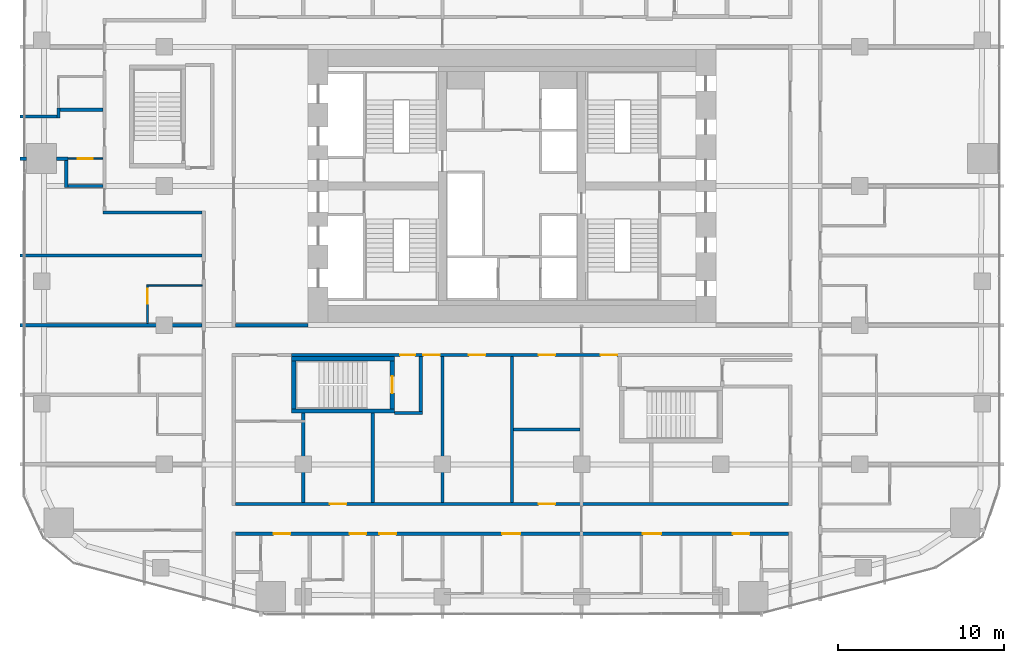
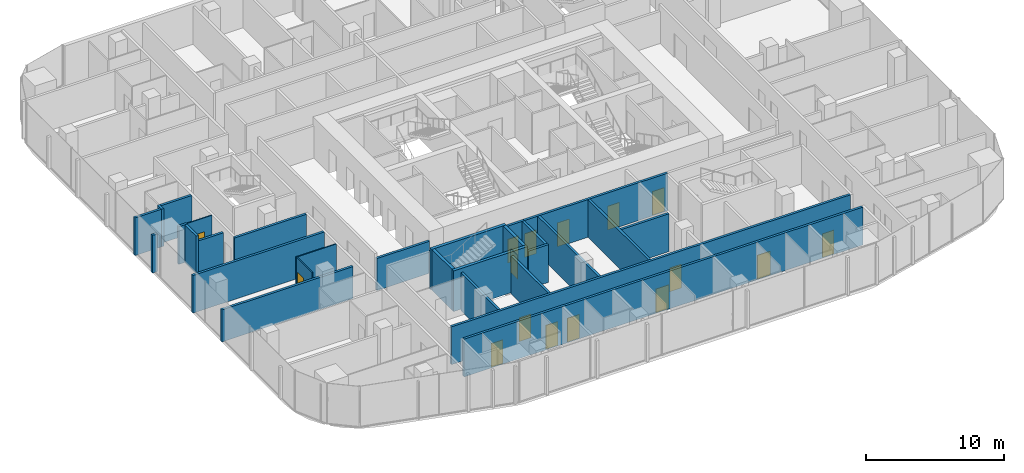
# One storey, part 17 of 26: 29 walls, 16 doors, 16 openings.
"""IFC4 building model written with IfcOpenShell, lengths in metres."""

from ifc_helpers import new_model, si_unit, direction, frame, frame_2d, origin, place, context, subcontext, project, spatial, rectangle, extrude, material, layer, layer_set, type_object, element, fill, save


model = new_model("IFC4")

# Units and contexts
model_context = context("Model", 3, precision=1e-05, world=origin(), true_north=direction((0.0, 1.0)))
body_context = subcontext(model_context, "Body", "Model", "MODEL_VIEW")
ifc_project = project(units=[si_unit("LENGTHUNIT", "METRE"), si_unit("AREAUNIT", "SQUARE_METRE"), si_unit("VOLUMEUNIT", "CUBIC_METRE"), si_unit("PLANEANGLEUNIT", "RADIAN"), si_unit("MASSUNIT", "GRAM", prefix="KILO")], contexts=[model_context])

# Site, building, storey
site_placement = place(None, origin())
site = spatial("IfcSite", under=ifc_project, at=site_placement, CompositionType="ELEMENT")
building_placement = place(site_placement, origin())
building = spatial("IfcBuilding", under=site, at=building_placement, Name="Marenta Gate Hotel Tower", CompositionType="ELEMENT")
storey_placement = place(building_placement, frame((0.0, 0.0, 58.10009765625)))
storey = spatial("IfcBuildingStorey", under=building, at=storey_placement, Name="L12", CompositionType="ELEMENT", Elevation=58.10009765625)

# Walls
ifc_material_1 = material(Name="Concrete blockwork", Category="masonry")
ifc_layer_1 = layer(ifc_material_1, 0.199951171875)
ifc_layer_set_1 = layer_set([ifc_layer_1], Name="Concrete blockwork")
wall_type_1 = type_object("IfcWallType", Name="Core boundary wall 200 REI 180", PredefinedType="PARTITIONING", material=ifc_layer_set_1)
wall_1_placement = place(storey_placement, frame((-16.699951171875, 0.0, 0.0), z_axis=(0.0, 0.0, 1.0), x_axis=(1.0, 0.0, 0.0)))
element("IfcWall", 1, at=wall_1_placement, inside=storey, type_object=wall_type_1, Name="L12-CP-EW-WS", PredefinedType="PARTITIONING", context=body_context, shape_type="SweptSolid", body=[
    extrude(rectangle(XDim=4.39990234375, YDim=0.199951171875, at=frame_2d((2.199951171875, 0.0))), origin(), (0.0, 0.0, 1.0), 2.83984375),
])
ifc_material_2 = material(Name="Concrete C40", Category="concrete")
ifc_layer_2 = layer(ifc_material_2, 0.25)
ifc_layer_set_2 = layer_set([ifc_layer_2], Name="Concrete C40")
wall_type_2 = type_object("IfcWallType", Name="Remote stair enclosure wall 250 REI 180", PredefinedType="SHEAR", material=ifc_layer_set_2)
for number, where, z_axis, x_axis, name in (
    (2, (-13.300048828125, -5.175048828125, 0.099853515625), (0.0, 0.0, 1.0), (1.0, 0.0, 0.0), "L12-RS-Z1-2-W1"),
    (3, (-13.300048828125, -2.02490234375, 0.099853515625), (0.0, 0.0, 1.0), (1.0, 0.0, 0.0), "L12-RS-Z1-2-W2"),
):
    element("IfcWall", number, at=place(storey_placement, frame(where, z_axis=z_axis, x_axis=x_axis)), inside=storey, type_object=wall_type_2, Name=name, PredefinedType="SHEAR", context=body_context, shape_type="SweptSolid", body=[
        extrude(rectangle(XDim=6.199951171875, YDim=0.25, at=frame_2d((3.10009765625, 0.0))), origin(), (0.0, 0.0, 1.0), 3.60009765625),
    ])
wall_2_placement = place(storey_placement, frame((-13.175048828125, -5.050048828125, 0.099853515625), z_axis=(0.0, 0.0, 1.0), x_axis=(0.0, 1.0, 0.0)))
element("IfcWall", 4, at=wall_2_placement, inside=storey, type_object=wall_type_2, Name="L12-RS-Z1-2-W3", PredefinedType="SHEAR", context=body_context, shape_type="SweptSolid", body=[
    extrude(rectangle(XDim=2.900146484375, YDim=0.25, at=frame_2d((1.4501953125, 0.0))), origin(), (0.0, 0.0, 1.0), 3.60009765625),
])

# Wall, opening, door
wall_3_placement = place(storey_placement, frame((-7.22509765625, -5.050048828125, 0.099853515625), z_axis=(0.0, 0.0, 1.0), x_axis=(0.0, 1.0, 0.0)))
wall_3 = element("IfcWall", 5, at=wall_3_placement, inside=storey, type_object=wall_type_2, Name="L12-RS-Z1-2-W4", PredefinedType="SHEAR", context=body_context, shape_type="SweptSolid", body=[
    extrude(rectangle(XDim=2.900146484375, YDim=0.25, at=frame_2d((1.4501953125, 0.0))), origin(), (0.0, 0.0, 1.0), 3.60009765625),
])
opening_1_placement = place(wall_3_placement, frame((0.949951171875, 0.0, 0.0)))
opening_1 = element("IfcOpeningElement", 6, at=opening_1_placement, cuts=wall_3, Name="Opening VD", PredefinedType="OPENING", context=body_context, shape_type="SweptSolid", body=[
    extrude(rectangle(XDim=1.0, YDim=2.10009765625, at=frame_2d((0.5, 1.050048828125))), frame((0.0, 0.125, 0.0), z_axis=(0.0, -1.0, 0.0), x_axis=(1.0, 0.0, 0.0)), (0.0, 0.0, 1.0), 0.25),
])
ifc_material_3 = material(Name="Steel", Category="steel")
door_type_1 = type_object("IfcDoorType", Name="Stair vestibule door 1000x2100 FD60", OperationType="SINGLE_SWING_LEFT", PredefinedType="DOOR", material=ifc_material_3)
door_1_placement = place(opening_1_placement, origin())
door_1 = element("IfcDoor", 7, at=door_1_placement, inside=storey, type_object=door_type_1, Name="VD", OperationType="SINGLE_SWING_LEFT", OverallHeight=2.10009765625, OverallWidth=1.0, PredefinedType="DOOR", context=body_context, shape_type="SweptSolid", body=[
    extrude(rectangle(XDim=1.0, YDim=2.10009765625, at=frame_2d((0.5, 1.050048828125))), frame((0.0, 0.02490234375, 0.0), z_axis=(0.0, -1.0, 0.0), x_axis=(1.0, 0.0, 0.0)), (0.0, 0.0, 1.0), 0.050048828125),
])
fill(opening_1, door_1)

# Wall, openings, doors
ifc_material_4 = material(Name="Gypsum board on steel stud", Category="steel")
ifc_layer_3 = layer(ifc_material_4, 0.199951171875)
ifc_layer_set_3 = layer_set([ifc_layer_3], Name="Gypsum board on steel stud")
wall_type_3 = type_object("IfcWallType", Name="Room corridor wall 200 EI 60", PredefinedType="PARTITIONING", material=ifc_layer_set_3)
wall_4_placement = place(storey_placement, frame((-16.699951171875, -12.60009765625, 0.0), z_axis=(0.0, 0.0, 1.0), x_axis=(1.0, 0.0, 0.0)))
wall_4 = element("IfcWall", 8, at=wall_4_placement, inside=storey, type_object=wall_type_3, Name="L12-PTN-W030", PredefinedType="PARTITIONING", context=body_context, shape_type="SweptSolid", body=[
    extrude(rectangle(XDim=33.39990234375, YDim=0.199951171875, at=frame_2d((16.699951171875, 0.0))), origin(), (0.0, 0.0, 1.0), 3.33984375),
])
opening_2_placement = place(wall_4_placement, frame((6.89990234375, 0.0, 0.0)))
opening_2 = element("IfcOpeningElement", 9, at=opening_2_placement, cuts=wall_4, Name="Opening G04-40", PredefinedType="OPENING", context=body_context, shape_type="SweptSolid", body=[
    extrude(rectangle(XDim=1.0, YDim=2.10009765625, at=frame_2d((0.5, 1.050048828125))), frame((0.0, 0.10009765625, 0.0), z_axis=(0.0, -1.0, 0.0), x_axis=(1.0, 0.0, 0.0)), (0.0, 0.0, 1.0), 0.199951171875),
])
opening_3_placement = place(wall_4_placement, frame((8.699951171875, 0.0, 0.0)))
opening_3 = element("IfcOpeningElement", 10, at=opening_3_placement, cuts=wall_4, Name="Opening G04-42", PredefinedType="OPENING", context=body_context, shape_type="SweptSolid", body=[
    extrude(rectangle(XDim=1.0, YDim=2.10009765625, at=frame_2d((0.5, 1.050048828125))), frame((0.0, 0.10009765625, 0.0), z_axis=(0.0, -1.0, 0.0), x_axis=(1.0, 0.0, 0.0)), (0.0, 0.0, 1.0), 0.199951171875),
])
opening_4_placement = place(wall_4_placement, frame((16.10009765625, 0.0, 0.0)))
opening_4 = element("IfcOpeningElement", 11, at=opening_4_placement, cuts=wall_4, Name="Opening G04-44", PredefinedType="OPENING", context=body_context, shape_type="SweptSolid", body=[
    extrude(rectangle(XDim=1.10009765625, YDim=2.10009765625, at=frame_2d((0.550048828125, 1.050048828125))), frame((0.0, 0.10009765625, 0.0), z_axis=(0.0, -1.0, 0.0), x_axis=(1.0, 0.0, 0.0)), (0.0, 0.0, 1.0), 0.199951171875),
])
opening_5_placement = place(wall_4_placement, frame((24.60009765625, 0.0, 0.0)))
opening_5 = element("IfcOpeningElement", 12, at=opening_5_placement, cuts=wall_4, Name="Opening G04-47", PredefinedType="OPENING", context=body_context, shape_type="SweptSolid", body=[
    extrude(rectangle(XDim=1.10009765625, YDim=2.10009765625, at=frame_2d((0.550048828125, 1.050048828125))), frame((0.0, 0.10009765625, 0.0), z_axis=(0.0, -1.0, 0.0), x_axis=(1.0, 0.0, 0.0)), (0.0, 0.0, 1.0), 0.199951171875),
])
opening_6_placement = place(wall_4_placement, frame((2.31689453125, 0.0, 0.0)))
opening_6 = element("IfcOpeningElement", 13, at=opening_6_placement, cuts=wall_4, Name="Opening G04-80", PredefinedType="OPENING", context=body_context, shape_type="SweptSolid", body=[
    extrude(rectangle(XDim=1.0, YDim=2.10009765625, at=frame_2d((0.5, 1.050048828125))), frame((0.0, 0.10009765625, 0.0), z_axis=(0.0, -1.0, 0.0), x_axis=(1.0, 0.0, 0.0)), (0.0, 0.0, 1.0), 0.199951171875),
])
opening_7_placement = place(wall_4_placement, frame((30.032958984375, 0.0, 0.0)))
opening_7 = element("IfcOpeningElement", 14, at=opening_7_placement, cuts=wall_4, Name="Opening G04-83", PredefinedType="OPENING", context=body_context, shape_type="SweptSolid", body=[
    extrude(rectangle(XDim=1.0, YDim=2.10009765625, at=frame_2d((0.5, 1.050048828125))), frame((0.0, 0.10009765625, 0.0), z_axis=(0.0, -1.0, 0.0), x_axis=(1.0, 0.0, 0.0)), (0.0, 0.0, 1.0), 0.199951171875),
])
ifc_material_5 = material(Name="Timber door leaf", Category="wood")
door_type_2 = type_object("IfcDoorType", Name="Guest room door 1000x2100 EI 30", OperationType="NOTDEFINED", PredefinedType="DOOR", material=ifc_material_5)
door_2_placement = place(opening_2_placement, origin())
door_2 = element("IfcDoor", 15, at=door_2_placement, inside=storey, type_object=door_type_2, Name="L12-PD-D040", OperationType="SINGLE_SWING_RIGHT", OverallHeight=2.10009765625, OverallWidth=1.0, PredefinedType="DOOR", context=body_context, shape_type="SweptSolid", body=[
    extrude(rectangle(XDim=1.0, YDim=2.10009765625, at=frame_2d((0.5, 1.050048828125))), frame((0.0, 0.02490234375, 0.0), z_axis=(0.0, -1.0, 0.0), x_axis=(1.0, 0.0, 0.0)), (0.0, 0.0, 1.0), 0.050048828125),
])
fill(opening_2, door_2)
door_3_placement = place(opening_3_placement, origin())
door_3 = element("IfcDoor", 16, at=door_3_placement, inside=storey, type_object=door_type_2, Name="L12-PD-D042", OperationType="SINGLE_SWING_RIGHT", OverallHeight=2.10009765625, OverallWidth=1.0, PredefinedType="DOOR", context=body_context, shape_type="SweptSolid", body=[
    extrude(rectangle(XDim=1.0, YDim=2.10009765625, at=frame_2d((0.5, 1.050048828125))), frame((0.0, 0.02490234375, 0.0), z_axis=(0.0, -1.0, 0.0), x_axis=(1.0, 0.0, 0.0)), (0.0, 0.0, 1.0), 0.050048828125),
])
fill(opening_3, door_3)
door_4_placement = place(opening_6_placement, origin())
door_4 = element("IfcDoor", 17, at=door_4_placement, inside=storey, type_object=door_type_2, Name="L12-PD-D080", OperationType="SINGLE_SWING_RIGHT", OverallHeight=2.10009765625, OverallWidth=1.0, PredefinedType="DOOR", context=body_context, shape_type="SweptSolid", body=[
    extrude(rectangle(XDim=1.0, YDim=2.10009765625, at=frame_2d((0.5, 1.050048828125))), frame((0.0, 0.02490234375, 0.0), z_axis=(0.0, -1.0, 0.0), x_axis=(1.0, 0.0, 0.0)), (0.0, 0.0, 1.0), 0.050048828125),
])
fill(opening_6, door_4)
door_5_placement = place(opening_7_placement, origin())
door_5 = element("IfcDoor", 18, at=door_5_placement, inside=storey, type_object=door_type_2, Name="L12-PD-D083", OperationType="SINGLE_SWING_LEFT", OverallHeight=2.10009765625, OverallWidth=1.0, PredefinedType="DOOR", context=body_context, shape_type="SweptSolid", body=[
    extrude(rectangle(XDim=1.0, YDim=2.10009765625, at=frame_2d((0.5, 1.050048828125))), frame((0.0, 0.02490234375, 0.0), z_axis=(0.0, -1.0, 0.0), x_axis=(1.0, 0.0, 0.0)), (0.0, 0.0, 1.0), 0.050048828125),
])
fill(opening_7, door_5)
ifc_material_6 = material(Name="Timber door leaf", Category="wood")
door_type_3 = type_object("IfcDoorType", Name="Guest room door 1100x2100 EI 30", OperationType="NOTDEFINED", PredefinedType="DOOR", material=ifc_material_6)
door_6_placement = place(opening_4_placement, origin())
door_6 = element("IfcDoor", 19, at=door_6_placement, inside=storey, type_object=door_type_3, Name="L12-PD-D044", OperationType="SINGLE_SWING_LEFT", OverallHeight=2.10009765625, OverallWidth=1.10009765625, PredefinedType="DOOR", context=body_context, shape_type="SweptSolid", body=[
    extrude(rectangle(XDim=1.10009765625, YDim=2.10009765625, at=frame_2d((0.550048828125, 1.050048828125))), frame((0.0, 0.02490234375, 0.0), z_axis=(0.0, -1.0, 0.0), x_axis=(1.0, 0.0, 0.0)), (0.0, 0.0, 1.0), 0.050048828125),
])
fill(opening_4, door_6)
door_7_placement = place(opening_5_placement, origin())
door_7 = element("IfcDoor", 20, at=door_7_placement, inside=storey, type_object=door_type_3, Name="L12-PD-D047", OperationType="SINGLE_SWING_RIGHT", OverallHeight=2.10009765625, OverallWidth=1.10009765625, PredefinedType="DOOR", context=body_context, shape_type="SweptSolid", body=[
    extrude(rectangle(XDim=1.10009765625, YDim=2.10009765625, at=frame_2d((0.550048828125, 1.050048828125))), frame((0.0, 0.02490234375, 0.0), z_axis=(0.0, -1.0, 0.0), x_axis=(1.0, 0.0, 0.0)), (0.0, 0.0, 1.0), 0.050048828125),
])
fill(opening_5, door_7)

wall_5_placement = place(storey_placement, frame((-16.699951171875, -10.800048828125, 0.0), z_axis=(0.0, 0.0, 1.0), x_axis=(1.0, 0.0, 0.0)))
wall_5 = element("IfcWall", 21, at=wall_5_placement, inside=storey, type_object=wall_type_3, Name="L12-PTN-W034", PredefinedType="PARTITIONING", context=body_context, shape_type="SweptSolid", body=[
    extrude(rectangle(XDim=33.39990234375, YDim=0.199951171875, at=frame_2d((16.699951171875, 0.0))), origin(), (0.0, 0.0, 1.0), 3.33984375),
])
opening_8_placement = place(wall_5_placement, frame((5.699951171875, 0.0, 0.0)))
opening_8 = element("IfcOpeningElement", 22, at=opening_8_placement, cuts=wall_5, Name="Opening G04-75", PredefinedType="OPENING", context=body_context, shape_type="SweptSolid", body=[
    extrude(rectangle(XDim=1.0, YDim=2.10009765625, at=frame_2d((0.5, 1.050048828125))), frame((0.0, 0.10009765625, 0.0), z_axis=(0.0, -1.0, 0.0), x_axis=(1.0, 0.0, 0.0)), (0.0, 0.0, 1.0), 0.199951171875),
])
opening_9_placement = place(wall_5_placement, frame((18.300048828125, 0.0, 0.0)))
opening_9 = element("IfcOpeningElement", 23, at=opening_9_placement, cuts=wall_5, Name="Opening G04-76", PredefinedType="OPENING", context=body_context, shape_type="SweptSolid", body=[
    extrude(rectangle(XDim=1.0, YDim=2.10009765625, at=frame_2d((0.5, 1.050048828125))), frame((0.0, 0.10009765625, 0.0), z_axis=(0.0, -1.0, 0.0), x_axis=(1.0, 0.0, 0.0)), (0.0, 0.0, 1.0), 0.199951171875),
])
ifc_material_7 = material(Name="Timber door leaf", Category="wood")
door_type_4 = type_object("IfcDoorType", Name="Room amenity door 1000x2100 EI 30", OperationType="NOTDEFINED", PredefinedType="DOOR", material=ifc_material_7)
door_8_placement = place(opening_8_placement, origin())
door_8 = element("IfcDoor", 24, at=door_8_placement, inside=storey, type_object=door_type_4, Name="L12-PD-D075", OperationType="SINGLE_SWING_LEFT", OverallHeight=2.10009765625, OverallWidth=1.0, PredefinedType="DOOR", context=body_context, shape_type="SweptSolid", body=[
    extrude(rectangle(XDim=1.0, YDim=2.10009765625, at=frame_2d((0.5, 1.050048828125))), frame((0.0, 0.02490234375, 0.0), z_axis=(0.0, -1.0, 0.0), x_axis=(1.0, 0.0, 0.0)), (0.0, 0.0, 1.0), 0.050048828125),
])
fill(opening_8, door_8)
door_9_placement = place(opening_9_placement, origin())
door_9 = element("IfcDoor", 25, at=door_9_placement, inside=storey, type_object=door_type_4, Name="L12-PD-D076", OperationType="SINGLE_SWING_RIGHT", OverallHeight=2.10009765625, OverallWidth=1.0, PredefinedType="DOOR", context=body_context, shape_type="SweptSolid", body=[
    extrude(rectangle(XDim=1.0, YDim=2.10009765625, at=frame_2d((0.5, 1.050048828125))), frame((0.0, 0.02490234375, 0.0), z_axis=(0.0, -1.0, 0.0), x_axis=(1.0, 0.0, 0.0)), (0.0, 0.0, 1.0), 0.050048828125),
])
fill(opening_9, door_9)

wall_6_placement = place(storey_placement, frame((-5.60009765625, -1.800048828125, 0.0), z_axis=(0.0, 0.0, 1.0), x_axis=(1.0, 0.0, 0.0)))
wall_6 = element("IfcWall", 26, at=wall_6_placement, inside=storey, type_object=wall_type_3, Name="L12-PTN-W064", PredefinedType="PARTITIONING", context=body_context, shape_type="SweptSolid", body=[
    extrude(rectangle(XDim=12.2001953125, YDim=0.199951171875, at=frame_2d((6.10009765625, 0.0))), origin(), (0.0, 0.0, 1.0), 3.33984375),
])
opening_10_placement = place(wall_6_placement, frame((0.25, 0.0, 0.0)))
opening_10 = element("IfcOpeningElement", 27, at=opening_10_placement, cuts=wall_6, Name="Opening G04-07", PredefinedType="OPENING", context=body_context, shape_type="SweptSolid", body=[
    extrude(rectangle(XDim=1.0, YDim=2.10009765625, at=frame_2d((0.5, 1.050048828125))), frame((0.0, 0.10009765625, 0.0), z_axis=(0.0, -1.0, 0.0), x_axis=(1.0, 0.0, 0.0)), (0.0, 0.0, 1.0), 0.199951171875),
])
opening_11_placement = place(wall_6_placement, frame((3.0, 0.0, 0.0)))
opening_11 = element("IfcOpeningElement", 28, at=opening_11_placement, cuts=wall_6, Name="Opening G04-08", PredefinedType="OPENING", context=body_context, shape_type="SweptSolid", body=[
    extrude(rectangle(XDim=1.0, YDim=2.10009765625, at=frame_2d((0.5, 1.050048828125))), frame((0.0, 0.10009765625, 0.0), z_axis=(0.0, -1.0, 0.0), x_axis=(1.0, 0.0, 0.0)), (0.0, 0.0, 1.0), 0.199951171875),
])
opening_12_placement = place(wall_6_placement, frame((10.949951171875, 0.0, 0.0)))
opening_12 = element("IfcOpeningElement", 29, at=opening_12_placement, cuts=wall_6, Name="Opening G04-09", PredefinedType="OPENING", context=body_context, shape_type="SweptSolid", body=[
    extrude(rectangle(XDim=1.0, YDim=2.10009765625, at=frame_2d((0.5, 1.050048828125))), frame((0.0, 0.10009765625, 0.0), z_axis=(0.0, -1.0, 0.0), x_axis=(1.0, 0.0, 0.0)), (0.0, 0.0, 1.0), 0.199951171875),
])
opening_13_placement = place(wall_6_placement, frame((7.199951171875, 0.0, 0.0)))
opening_13 = element("IfcOpeningElement", 30, at=opening_13_placement, cuts=wall_6, Name="Opening G04-77", PredefinedType="OPENING", context=body_context, shape_type="SweptSolid", body=[
    extrude(rectangle(XDim=1.0, YDim=2.10009765625, at=frame_2d((0.5, 1.050048828125))), frame((0.0, 0.10009765625, 0.0), z_axis=(0.0, -1.0, 0.0), x_axis=(1.0, 0.0, 0.0)), (0.0, 0.0, 1.0), 0.199951171875),
])
door_10_placement = place(opening_10_placement, origin())
door_10 = element("IfcDoor", 31, at=door_10_placement, inside=storey, type_object=door_type_4, Name="L12-PD-D007", OperationType="SINGLE_SWING_RIGHT", OverallHeight=2.10009765625, OverallWidth=1.0, PredefinedType="DOOR", context=body_context, shape_type="SweptSolid", body=[
    extrude(rectangle(XDim=1.0, YDim=2.10009765625, at=frame_2d((0.5, 1.050048828125))), frame((0.0, 0.02490234375, 0.0), z_axis=(0.0, -1.0, 0.0), x_axis=(1.0, 0.0, 0.0)), (0.0, 0.0, 1.0), 0.050048828125),
])
fill(opening_10, door_10)
door_11_placement = place(opening_11_placement, origin())
door_11 = element("IfcDoor", 32, at=door_11_placement, inside=storey, type_object=door_type_4, Name="L12-PD-D008", OperationType="SINGLE_SWING_LEFT", OverallHeight=2.10009765625, OverallWidth=1.0, PredefinedType="DOOR", context=body_context, shape_type="SweptSolid", body=[
    extrude(rectangle(XDim=1.0, YDim=2.10009765625, at=frame_2d((0.5, 1.050048828125))), frame((0.0, 0.02490234375, 0.0), z_axis=(0.0, -1.0, 0.0), x_axis=(1.0, 0.0, 0.0)), (0.0, 0.0, 1.0), 0.050048828125),
])
fill(opening_11, door_11)
door_12_placement = place(opening_12_placement, origin())
door_12 = element("IfcDoor", 33, at=door_12_placement, inside=storey, type_object=door_type_4, Name="L12-PD-D009", OperationType="SINGLE_SWING_RIGHT", OverallHeight=2.10009765625, OverallWidth=1.0, PredefinedType="DOOR", context=body_context, shape_type="SweptSolid", body=[
    extrude(rectangle(XDim=1.0, YDim=2.10009765625, at=frame_2d((0.5, 1.050048828125))), frame((0.0, 0.02490234375, 0.0), z_axis=(0.0, -1.0, 0.0), x_axis=(1.0, 0.0, 0.0)), (0.0, 0.0, 1.0), 0.050048828125),
])
fill(opening_12, door_12)
door_13_placement = place(opening_13_placement, origin())
door_13 = element("IfcDoor", 34, at=door_13_placement, inside=storey, type_object=door_type_4, Name="L12-PD-D077", OperationType="SINGLE_SWING_RIGHT", OverallHeight=2.10009765625, OverallWidth=1.0, PredefinedType="DOOR", context=body_context, shape_type="SweptSolid", body=[
    extrude(rectangle(XDim=1.0, YDim=2.10009765625, at=frame_2d((0.5, 1.050048828125))), frame((0.0, 0.02490234375, 0.0), z_axis=(0.0, -1.0, 0.0), x_axis=(1.0, 0.0, 0.0)), (0.0, 0.0, 1.0), 0.050048828125),
])
fill(opening_13, door_13)

# Wall
wall_7_placement = place(storey_placement, frame((-24.699951171875, 6.800048828125, 0.0), z_axis=(0.0, 0.0, 1.0), x_axis=(1.0, 0.0, 0.0)))
element("IfcWall", 35, at=wall_7_placement, inside=storey, type_object=wall_type_3, Name="L12-PTN-W085", PredefinedType="PARTITIONING", context=body_context, shape_type="SweptSolid", body=[
    extrude(rectangle(XDim=6.0, YDim=0.199951171875, at=frame_2d((3.0, 0.0))), origin(), (0.0, 0.0, 1.0), 3.33984375),
])

# Wall, opening, door
ifc_material_8 = material(Name="Concrete blockwork", Category="masonry")
ifc_layer_4 = layer(ifc_material_8, 0.199951171875)
ifc_layer_set_4 = layer_set([ifc_layer_4], Name="Concrete blockwork")
wall_type_4 = type_object("IfcWallType", Name="Room corridor wall 200 REI 180", PredefinedType="PARTITIONING", material=ifc_layer_set_4)
wall_8_placement = place(storey_placement, frame((-13.300048828125, -1.800048828125, 0.0), z_axis=(0.0, 0.0, 1.0), x_axis=(1.0, 0.0, 0.0)))
wall_8 = element("IfcWall", 36, at=wall_8_placement, inside=storey, type_object=wall_type_4, Name="L12-PTN-W065", PredefinedType="PARTITIONING", context=body_context, shape_type="SweptSolid", body=[
    extrude(rectangle(XDim=7.900146484375, YDim=0.199951171875, at=frame_2d((3.9501953125, 0.0))), origin(), (0.0, 0.0, 1.0), 3.33984375),
])
opening_14_placement = place(wall_8_placement, frame((6.550048828125, 0.0, 0.0)))
opening_14 = element("IfcOpeningElement", 37, at=opening_14_placement, cuts=wall_8, Name="Opening G04-68", PredefinedType="OPENING", context=body_context, shape_type="SweptSolid", body=[
    extrude(rectangle(XDim=0.89990234375, YDim=2.10009765625, at=frame_2d((0.449951171875, 1.050048828125))), frame((0.0, 0.10009765625, 0.0), z_axis=(0.0, -1.0, 0.0), x_axis=(1.0, 0.0, 0.0)), (0.0, 0.0, 1.0), 0.199951171875),
])
ifc_material_9 = material(Name="Hollow steel door set", Category="steel")
door_type_5 = type_object("IfcDoorType", Name="Stair vestibule door 900x2100 EI 60", OperationType="NOTDEFINED", PredefinedType="DOOR", material=ifc_material_9)
door_14_placement = place(opening_14_placement, origin())
door_14 = element("IfcDoor", 38, at=door_14_placement, inside=storey, type_object=door_type_5, Name="L12-PD-D068", OperationType="SINGLE_SWING_LEFT", OverallHeight=2.10009765625, OverallWidth=0.89990234375, PredefinedType="DOOR", context=body_context, shape_type="SweptSolid", body=[
    extrude(rectangle(XDim=0.89990234375, YDim=2.10009765625, at=frame_2d((0.449951171875, 1.050048828125))), frame((0.0, 0.02490234375, 0.0), z_axis=(0.0, -1.0, 0.0), x_axis=(1.0, 0.0, 0.0)), (0.0, 0.0, 1.0), 0.050048828125),
])
fill(opening_14, door_14)

# Wall
ifc_material_10 = material(Name="Gypsum board on steel stud", Category="steel")
ifc_layer_5 = layer(ifc_material_10, 0.10009765625)
ifc_layer_set_5 = layer_set([ifc_layer_5], Name="Gypsum board on steel stud")
wall_type_5 = type_object("IfcWallType", Name="Room partition 100", PredefinedType="PARTITIONING", material=ifc_layer_set_5)
wall_9_placement = place(storey_placement, frame((-22.050048828125, 2.39990234375, 0.0), z_axis=(0.0, 0.0, 1.0), x_axis=(1.0, 0.0, 0.0)))
element("IfcWall", 39, at=wall_9_placement, inside=storey, type_object=wall_type_5, Name="L12-PTN-W073", PredefinedType="PARTITIONING", context=body_context, shape_type="SweptSolid", body=[
    extrude(rectangle(XDim=3.35009765625, YDim=0.10009765625, at=frame_2d((1.675048828125, 0.0))), origin(), (0.0, 0.0, 1.0), 3.33984375),
])

# Wall, opening, door
wall_10_placement = place(storey_placement, frame((-27.0, 10.050048828125, 0.0), z_axis=(0.0, 0.0, 1.0), x_axis=(1.0, 0.0, 0.0)))
wall_10 = element("IfcWall", 40, at=wall_10_placement, inside=storey, type_object=wall_type_5, Name="L12-PTN-W094", PredefinedType="PARTITIONING", context=body_context, shape_type="SweptSolid", body=[
    extrude(rectangle(XDim=2.300048828125, YDim=0.10009765625, at=frame_2d((1.14990234375, 0.0))), origin(), (0.0, 0.0, 1.0), 3.33984375),
])
opening_15_placement = place(wall_10_placement, frame((0.800048828125, 0.0, 0.0)))
opening_15 = element("IfcOpeningElement", 41, at=opening_15_placement, cuts=wall_10, Name="Opening G04-87", PredefinedType="OPENING", context=body_context, shape_type="SweptSolid", body=[
    extrude(rectangle(XDim=0.89990234375, YDim=2.10009765625, at=frame_2d((0.449951171875, 1.050048828125))), frame((0.0, 0.050048828125, 0.0), z_axis=(0.0, -1.0, 0.0), x_axis=(1.0, 0.0, 0.0)), (0.0, 0.0, 1.0), 0.10009765625),
])
ifc_material_11 = material(Name="Timber door leaf", Category="wood")
door_type_6 = type_object("IfcDoorType", Name="Guest bathroom door 900x2100", OperationType="NOTDEFINED", PredefinedType="DOOR", material=ifc_material_11)
door_15_placement = place(opening_15_placement, origin())
door_15 = element("IfcDoor", 42, at=door_15_placement, inside=storey, type_object=door_type_6, Name="L12-PD-D087", OperationType="SINGLE_SWING_LEFT", OverallHeight=2.10009765625, OverallWidth=0.89990234375, PredefinedType="DOOR", context=body_context, shape_type="SweptSolid", body=[
    extrude(rectangle(XDim=0.89990234375, YDim=2.10009765625, at=frame_2d((0.449951171875, 1.050048828125))), frame((0.0, 0.02490234375, 0.0), z_axis=(0.0, -1.0, 0.0), x_axis=(1.0, 0.0, 0.0)), (0.0, 0.0, 1.0), 0.050048828125),
])
fill(opening_15, door_15)

wall_11_placement = place(storey_placement, frame((-22.0, 0.10009765625, 0.0), z_axis=(0.0, 0.0, 1.0), x_axis=(0.0, 1.0, 0.0)))
wall_11 = element("IfcWall", 43, at=wall_11_placement, inside=storey, type_object=wall_type_5, Name="L12-PTN-W129", PredefinedType="PARTITIONING", context=body_context, shape_type="SweptSolid", body=[
    extrude(rectangle(XDim=2.25, YDim=0.10009765625, at=frame_2d((1.125, 0.0))), origin(), (0.0, 0.0, 1.0), 3.33984375),
])
opening_16_placement = place(wall_11_placement, frame((1.199951171875, 0.0, 0.0)))
opening_16 = element("IfcOpeningElement", 44, at=opening_16_placement, cuts=wall_11, Name="Opening G04-58", PredefinedType="OPENING", context=body_context, shape_type="SweptSolid", body=[
    extrude(rectangle(XDim=0.89990234375, YDim=2.10009765625, at=frame_2d((0.449951171875, 1.050048828125))), frame((0.0, 0.050048828125, 0.0), z_axis=(0.0, -1.0, 0.0), x_axis=(1.0, 0.0, 0.0)), (0.0, 0.0, 1.0), 0.10009765625),
])
door_16_placement = place(opening_16_placement, origin())
door_16 = element("IfcDoor", 45, at=door_16_placement, inside=storey, type_object=door_type_6, Name="L12-PD-D058", OperationType="SINGLE_SWING_LEFT", OverallHeight=2.10009765625, OverallWidth=0.89990234375, PredefinedType="DOOR", context=body_context, shape_type="SweptSolid", body=[
    extrude(rectangle(XDim=0.89990234375, YDim=2.10009765625, at=frame_2d((0.449951171875, 1.050048828125))), frame((0.0, 0.02490234375, 0.0), z_axis=(0.0, -1.0, 0.0), x_axis=(1.0, 0.0, 0.0)), (0.0, 0.0, 1.0), 0.050048828125),
])
fill(opening_16, door_16)

# Walls
ifc_material_12 = material(Name="Gypsum board on steel stud", Category="steel")
ifc_layer_6 = layer(ifc_material_12, 0.199951171875)
ifc_layer_set_6 = layer_set([ifc_layer_6], Name="Gypsum board on steel stud")
wall_type_6 = type_object("IfcWallType", Name="Room party wall 200 EI 60", PredefinedType="PARTITIONING", material=ifc_layer_set_6)
wall_12_placement = place(storey_placement, frame((0.10009765625, -6.300048828125, 0.0), z_axis=(0.0, 0.0, 1.0), x_axis=(1.0, 0.0, 0.0)))
element("IfcWall", 46, at=wall_12_placement, inside=storey, type_object=wall_type_6, Name="L12-PTN-W048", PredefinedType="PARTITIONING", context=body_context, shape_type="SweptSolid", body=[
    extrude(rectangle(XDim=4.0, YDim=0.199951171875, at=frame_2d((2.0, 0.0))), origin(), (0.0, 0.0, 1.0), 3.33984375),
])
wall_13_placement = place(storey_placement, frame((0.0, -10.699951171875, 0.0), z_axis=(0.0, 0.0, 1.0), x_axis=(0.0, 1.0, 0.0)))
element("IfcWall", 47, at=wall_13_placement, inside=storey, type_object=wall_type_6, Name="L12-PTN-W068", PredefinedType="PARTITIONING", context=body_context, shape_type="SweptSolid", body=[
    extrude(rectangle(XDim=8.800048828125, YDim=0.199951171875, at=frame_2d((4.39990234375, 0.0))), origin(), (0.0, 0.0, 1.0), 3.33984375),
])
wall_14_placement = place(storey_placement, frame((-29.699951171875, 0.0, 0.0), z_axis=(0.0, 0.0, 1.0), x_axis=(1.0, 0.0, 0.0)))
element("IfcWall", 48, at=wall_14_placement, inside=storey, type_object=wall_type_6, Name="L12-PTN-W069", PredefinedType="PARTITIONING", context=body_context, shape_type="SweptSolid", body=[
    extrude(rectangle(XDim=11.0, YDim=0.199951171875, at=frame_2d((5.5, 0.0))), origin(), (0.0, 0.0, 1.0), 2.83984375),
])
wall_15_placement = place(storey_placement, frame((-4.199951171875, -10.699951171875, 0.0), z_axis=(0.0, 0.0, 1.0), x_axis=(0.0, 1.0, 0.0)))
element("IfcWall", 49, at=wall_15_placement, inside=storey, type_object=wall_type_6, Name="L12-PTN-W076", PredefinedType="PARTITIONING", context=body_context, shape_type="SweptSolid", body=[
    extrude(rectangle(XDim=8.800048828125, YDim=0.199951171875, at=frame_2d((4.39990234375, 0.0))), origin(), (0.0, 0.0, 1.0), 3.33984375),
])
wall_16_placement = place(storey_placement, frame((-29.699951171875, 4.199951171875, 0.0), z_axis=(0.0, 0.0, 1.0), x_axis=(1.0, 0.0, 0.0)))
element("IfcWall", 50, at=wall_16_placement, inside=storey, type_object=wall_type_6, Name="L12-PTN-W079", PredefinedType="PARTITIONING", context=body_context, shape_type="SweptSolid", body=[
    extrude(rectangle(XDim=11.0, YDim=0.199951171875, at=frame_2d((5.5, 0.0))), origin(), (0.0, 0.0, 1.0), 3.33984375),
])
wall_17_placement = place(storey_placement, frame((-8.39990234375, -10.699951171875, 0.0), z_axis=(0.0, 0.0, 1.0), x_axis=(0.0, 1.0, 0.0)))
element("IfcWall", 51, at=wall_17_placement, inside=storey, type_object=wall_type_6, Name="L12-PTN-W087", PredefinedType="PARTITIONING", context=body_context, shape_type="SweptSolid", body=[
    extrude(rectangle(XDim=5.39990234375, YDim=0.199951171875, at=frame_2d((2.699951171875, 0.0))), origin(), (0.0, 0.0, 1.0), 3.33984375),
])
wall_18_placement = place(storey_placement, frame((-26.800048828125, 8.39990234375, 0.0), z_axis=(0.0, 0.0, 1.0), x_axis=(1.0, 0.0, 0.0)))
element("IfcWall", 52, at=wall_18_placement, inside=storey, type_object=wall_type_6, Name="L12-PTN-W090", PredefinedType="PARTITIONING", context=body_context, shape_type="SweptSolid", body=[
    extrude(rectangle(XDim=2.10009765625, YDim=0.199951171875, at=frame_2d((1.050048828125, 0.0))), origin(), (0.0, 0.0, 1.0), 2.83984375),
])
wall_19_placement = place(storey_placement, frame((-29.699951171875, 10.050048828125, 0.0), z_axis=(0.0, 0.0, 1.0), x_axis=(1.0, 0.0, 0.0)))
element("IfcWall", 53, at=wall_19_placement, inside=storey, type_object=wall_type_6, Name="L12-PTN-W093", PredefinedType="PARTITIONING", context=body_context, shape_type="SweptSolid", body=[
    extrude(rectangle(XDim=0.39990234375, YDim=0.199951171875, at=frame_2d((0.199951171875, 0.0))), origin(), (0.0, 0.0, 1.0), 3.33984375),
])
wall_20_placement = place(storey_placement, frame((-27.5, 10.050048828125, 0.0), z_axis=(0.0, 0.0, 1.0), x_axis=(1.0, 0.0, 0.0)))
element("IfcWall", 54, at=wall_20_placement, inside=storey, type_object=wall_type_6, Name="L12-PTN-W159", PredefinedType="PARTITIONING", context=body_context, shape_type="SweptSolid", body=[
    extrude(rectangle(XDim=0.699951171875, YDim=0.199951171875, at=frame_2d((0.35009765625, 0.0))), origin(), (0.0, 0.0, 1.0), 3.33984375),
])
wall_21_placement = place(storey_placement, frame((-12.60009765625, -10.699951171875, 0.0), z_axis=(0.0, 0.0, 1.0), x_axis=(0.0, 1.0, 0.0)))
element("IfcWall", 55, at=wall_21_placement, inside=storey, type_object=wall_type_6, Name="L12-PTN-W099", PredefinedType="PARTITIONING", context=body_context, shape_type="SweptSolid", body=[
    extrude(rectangle(XDim=5.39990234375, YDim=0.199951171875, at=frame_2d((2.699951171875, 0.0))), origin(), (0.0, 0.0, 1.0), 3.33984375),
])
wall_22_placement = place(storey_placement, frame((-29.699951171875, 12.60009765625, 0.0), z_axis=(0.0, 0.0, 1.0), x_axis=(1.0, 0.0, 0.0)))
element("IfcWall", 56, at=wall_22_placement, inside=storey, type_object=wall_type_6, Name="L12-PTN-W102", PredefinedType="PARTITIONING", context=body_context, shape_type="SweptSolid", body=[
    extrude(rectangle(XDim=2.224853515625, YDim=0.199951171875, at=frame_2d((1.1123046875, 0.0))), origin(), (0.0, 0.0, 1.0), 3.33984375),
])
wall_23_placement = place(storey_placement, frame((-27.27490234375, 13.0, 0.0), z_axis=(0.0, 0.0, 1.0), x_axis=(1.0, 0.0, 0.0)))
element("IfcWall", 57, at=wall_23_placement, inside=storey, type_object=wall_type_6, Name="L12-PTN-W103", PredefinedType="PARTITIONING", context=body_context, shape_type="SweptSolid", body=[
    extrude(rectangle(XDim=2.574951171875, YDim=0.199951171875, at=frame_2d((1.28759765625, 0.0))), origin(), (0.0, 0.0, 1.0), 3.33984375),
])
wall_24_placement = place(storey_placement, frame((-26.89990234375, 8.300048828125, 0.0), z_axis=(0.0, 0.0, 1.0), x_axis=(0.0, 1.0, 0.0)))
element("IfcWall", 58, at=wall_24_placement, inside=storey, type_object=wall_type_6, Name="L12-PTN-W144", PredefinedType="PARTITIONING", context=body_context, shape_type="SweptSolid", body=[
    extrude(rectangle(XDim=1.699951171875, YDim=0.199951171875, at=frame_2d((0.85009765625, 0.0))), origin(), (0.0, 0.0, 1.0), 3.33984375),
])
wall_25_placement = place(storey_placement, frame((-27.375, 12.5, 0.0), z_axis=(0.0, 0.0, 1.0), x_axis=(0.0, 1.0, 0.0)))
element("IfcWall", 59, at=wall_25_placement, inside=storey, type_object=wall_type_6, Name="L12-PTN-W148", PredefinedType="PARTITIONING", context=body_context, shape_type="SweptSolid", body=[
    extrude(rectangle(XDim=0.60009765625, YDim=0.199951171875, at=frame_2d((0.300048828125, 0.0))), origin(), (0.0, 0.0, 1.0), 3.33984375),
])
ifc_material_13 = material(Name="Concrete blockwork", Category="masonry")
ifc_layer_7 = layer(ifc_material_13, 0.199951171875)
ifc_layer_set_7 = layer_set([ifc_layer_7], Name="Concrete blockwork")
wall_type_7 = type_object("IfcWallType", Name="Room party wall 200 REI 180", PredefinedType="PARTITIONING", material=ifc_layer_set_7)
wall_26_placement = place(storey_placement, frame((-7.10009765625, -5.300048828125, 0.0), z_axis=(0.0, 0.0, 1.0), x_axis=(1.0, 0.0, 0.0)))
element("IfcWall", 60, at=wall_26_placement, inside=storey, type_object=wall_type_7, Name="L12-PTN-W051", PredefinedType="PARTITIONING", context=body_context, shape_type="SweptSolid", body=[
    extrude(rectangle(XDim=1.7001953125, YDim=0.199951171875, at=frame_2d((0.85009765625, 0.0))), origin(), (0.0, 0.0, 1.0), 3.33984375),
])
wall_27_placement = place(storey_placement, frame((-5.5, -5.199951171875, 0.0), z_axis=(0.0, 0.0, 1.0), x_axis=(0.0, 1.0, 0.0)))
element("IfcWall", 61, at=wall_27_placement, inside=storey, type_object=wall_type_7, Name="L12-PTN-W081", PredefinedType="PARTITIONING", context=body_context, shape_type="SweptSolid", body=[
    extrude(rectangle(XDim=3.300048828125, YDim=0.199951171875, at=frame_2d((1.64990234375, 0.0))), origin(), (0.0, 0.0, 1.0), 3.33984375),
])

save(model, "model.ifc")
